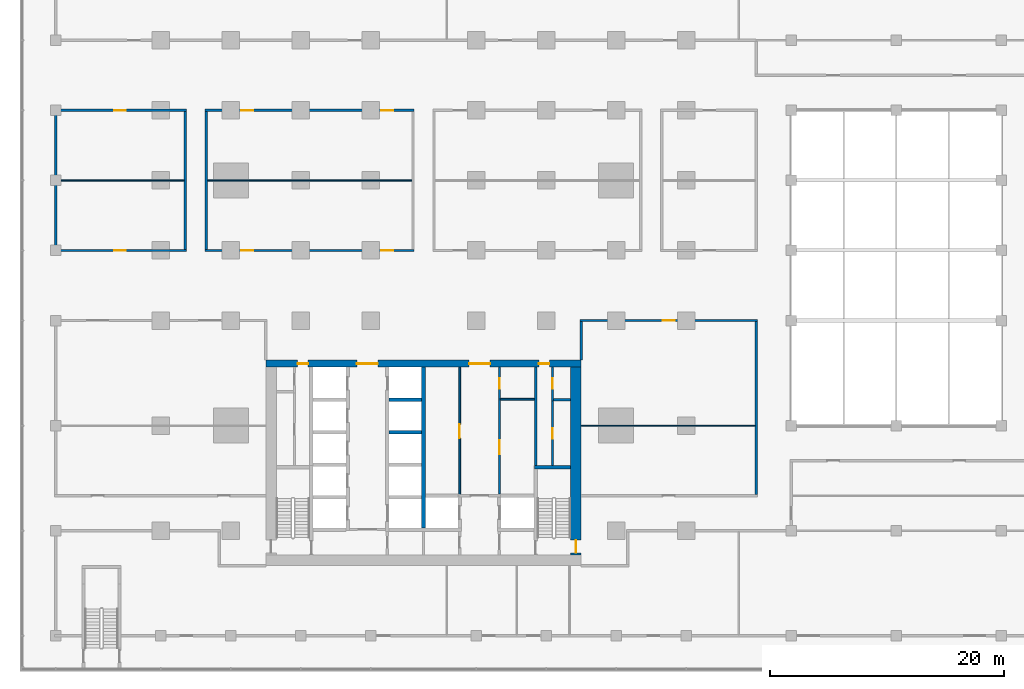
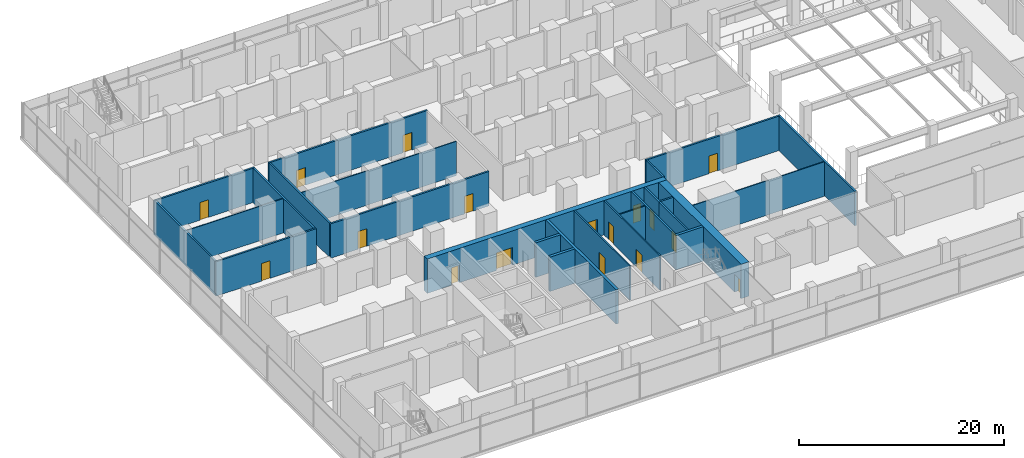
# One storey, part 15 of 22: 26 walls, 17 doors, 17 openings.
"""IFC4 building model written with IfcOpenShell, lengths in metres."""

from ifc_helpers import new_model, si_unit, direction, frame, frame_2d, origin, place, context, subcontext, project, spatial, rectangle, extrude, material, layer, layer_set, type_object, element, fill, save


model = new_model("IFC4")

# Units and contexts
model_context = context("Model", 3, precision=1e-05, world=origin(), true_north=direction((0.0, 1.0)))
body_context = subcontext(model_context, "Body", "Model", "MODEL_VIEW")
ifc_project = project(units=[si_unit("LENGTHUNIT", "METRE"), si_unit("AREAUNIT", "SQUARE_METRE"), si_unit("VOLUMEUNIT", "CUBIC_METRE"), si_unit("PLANEANGLEUNIT", "RADIAN"), si_unit("MASSUNIT", "GRAM", prefix="KILO")], contexts=[model_context])

# Site, building, storey
site_placement = place(None, origin())
site = spatial("IfcSite", under=ifc_project, at=site_placement, CompositionType="ELEMENT")
building_placement = place(site_placement, origin())
building = spatial("IfcBuilding", under=site, at=building_placement, Name="Finial Court Residences", CompositionType="ELEMENT")
storey_placement = place(building_placement, frame((0.0, 0.0, 28.0)))
storey = spatial("IfcBuildingStorey", under=building, at=storey_placement, Name="L05", CompositionType="ELEMENT", Elevation=28.0)

# Wall, openings, doors
ifc_material_1 = material(Name="Concrete C80/95", Category="concrete")
ifc_layer_1 = layer(ifc_material_1, 0.60009765625)
ifc_layer_set_1 = layer_set([ifc_layer_1], Name="Core outer wall 600 Concrete C80/95")
wall_type_1 = type_object("IfcWallType", Name="Core outer wall 600 Concrete C80/95", PredefinedType="SHEAR", material=ifc_layer_set_1)
wall_1_placement = place(storey_placement, frame((-13.5, -8.199951171875, 0.0), z_axis=(0.0, 0.0, 1.0), x_axis=(1.0, 0.0, 0.0)))
wall_1 = element("IfcWall", 1, at=wall_1_placement, inside=storey, type_object=wall_type_1, Name="Core outer wall L05-02", PredefinedType="SHEAR", context=body_context, shape_type="SweptSolid", body=[
    extrude(rectangle(XDim=27.0, YDim=0.60009765625, at=frame_2d((13.5, 0.0))), origin(), (0.0, 0.0, 1.0), 4.10009765625),
])
opening_1_placement = place(wall_1_placement, frame((7.800048828125, 0.0, 0.0)))
opening_1 = element("IfcOpeningElement", 2, at=opening_1_placement, cuts=wall_1, Name="Opening L05-C04", PredefinedType="OPENING", context=body_context, shape_type="SweptSolid", body=[
    extrude(rectangle(XDim=1.800048828125, YDim=2.10009765625, at=frame_2d((0.89990234375, 1.050048828125))), frame((0.0, 0.31005859375, 0.0), z_axis=(0.0, -1.0, 0.0), x_axis=(1.0, 0.0, 0.0)), (0.0, 0.0, 1.0), 0.6201171875),
])
opening_2_placement = place(wall_1_placement, frame((17.39990234375, 0.0, 0.0)))
opening_2 = element("IfcOpeningElement", 3, at=opening_2_placement, cuts=wall_1, Name="Opening L05-C05", PredefinedType="OPENING", context=body_context, shape_type="SweptSolid", body=[
    extrude(rectangle(XDim=1.800048828125, YDim=2.10009765625, at=frame_2d((0.89990234375, 1.050048828125))), frame((0.0, 0.31005859375, 0.0), z_axis=(0.0, -1.0, 0.0), x_axis=(1.0, 0.0, 0.0)), (0.0, 0.0, 1.0), 0.6201171875),
])
opening_3_placement = place(wall_1_placement, frame((2.72509765625, 0.0, 0.0)))
opening_3 = element("IfcOpeningElement", 4, at=opening_3_placement, cuts=wall_1, Name="Opening L05-C09", PredefinedType="OPENING", context=body_context, shape_type="SweptSolid", body=[
    extrude(rectangle(XDim=0.89990234375, YDim=2.10009765625, at=frame_2d((0.449951171875, 1.050048828125))), frame((0.0, 0.31005859375, 0.0), z_axis=(0.0, -1.0, 0.0), x_axis=(1.0, 0.0, 0.0)), (0.0, 0.0, 1.0), 0.6201171875),
])
opening_4_placement = place(wall_1_placement, frame((23.375, 0.0, 0.0)))
opening_4 = element("IfcOpeningElement", 5, at=opening_4_placement, cuts=wall_1, Name="Opening L05-C10", PredefinedType="OPENING", context=body_context, shape_type="SweptSolid", body=[
    extrude(rectangle(XDim=0.89990234375, YDim=2.10009765625, at=frame_2d((0.449951171875, 1.050048828125))), frame((0.0, 0.31005859375, 0.0), z_axis=(0.0, -1.0, 0.0), x_axis=(1.0, 0.0, 0.0)), (0.0, 0.0, 1.0), 0.6201171875),
])
ifc_material_2 = material(Name="Steel fire door", Category="steel")
door_type_1 = type_object("IfcDoorType", Name="Lift lobby door 1800 x 2100 EI 60", OperationType="DOUBLE_DOOR_SINGLE_SWING", PredefinedType="DOOR", material=ifc_material_2)
door_1_placement = place(opening_1_placement, origin())
door_1 = element("IfcDoor", 6, at=door_1_placement, inside=storey, type_object=door_type_1, Name="Lift lobby door L05-C04", OperationType="DOUBLE_DOOR_SINGLE_SWING", OverallHeight=2.10009765625, OverallWidth=1.800048828125, PredefinedType="DOOR", context=body_context, shape_type="SweptSolid", body=[
    extrude(rectangle(XDim=1.800048828125, YDim=2.10009765625, at=frame_2d((0.89990234375, 1.050048828125))), frame((0.0, 0.02490234375, 0.0), z_axis=(0.0, -1.0, 0.0), x_axis=(1.0, 0.0, 0.0)), (0.0, 0.0, 1.0), 0.050048828125),
])
fill(opening_1, door_1)
door_2_placement = place(opening_2_placement, origin())
door_2 = element("IfcDoor", 7, at=door_2_placement, inside=storey, type_object=door_type_1, Name="Lift lobby door L05-C05", OperationType="DOUBLE_DOOR_SINGLE_SWING", OverallHeight=2.10009765625, OverallWidth=1.800048828125, PredefinedType="DOOR", context=body_context, shape_type="SweptSolid", body=[
    extrude(rectangle(XDim=1.800048828125, YDim=2.10009765625, at=frame_2d((0.89990234375, 1.050048828125))), frame((0.0, 0.02490234375, 0.0), z_axis=(0.0, -1.0, 0.0), x_axis=(1.0, 0.0, 0.0)), (0.0, 0.0, 1.0), 0.050048828125),
])
fill(opening_2, door_2)
door_type_2 = type_object("IfcDoorType", Name="Riser room door 900 x 2100 EI 90", OperationType="NOTDEFINED", PredefinedType="DOOR", material=ifc_material_2)
door_3_placement = place(opening_3_placement, origin())
door_3 = element("IfcDoor", 8, at=door_3_placement, inside=storey, type_object=door_type_2, Name="Riser room door L05-C09", OperationType="SINGLE_SWING_RIGHT", OverallHeight=2.10009765625, OverallWidth=0.89990234375, PredefinedType="DOOR", context=body_context, shape_type="SweptSolid", body=[
    extrude(rectangle(XDim=0.89990234375, YDim=2.10009765625, at=frame_2d((0.449951171875, 1.050048828125))), frame((0.0, 0.02490234375, 0.0), z_axis=(0.0, -1.0, 0.0), x_axis=(1.0, 0.0, 0.0)), (0.0, 0.0, 1.0), 0.050048828125),
])
fill(opening_3, door_3)
door_4_placement = place(opening_4_placement, origin())
door_4 = element("IfcDoor", 9, at=door_4_placement, inside=storey, type_object=door_type_2, Name="Riser room door L05-C10", OperationType="SINGLE_SWING_LEFT", OverallHeight=2.10009765625, OverallWidth=0.89990234375, PredefinedType="DOOR", context=body_context, shape_type="SweptSolid", body=[
    extrude(rectangle(XDim=0.89990234375, YDim=2.10009765625, at=frame_2d((0.449951171875, 1.050048828125))), frame((0.0, 0.02490234375, 0.0), z_axis=(0.0, -1.0, 0.0), x_axis=(1.0, 0.0, 0.0)), (0.0, 0.0, 1.0), 0.050048828125),
])
fill(opening_4, door_4)

# Wall, opening, door
ifc_layer_2 = layer(ifc_material_1, 0.89990234375)
ifc_layer_set_2 = layer_set([ifc_layer_2], Name="Core outer wall 900 Concrete C80/95")
wall_type_2 = type_object("IfcWallType", Name="Core outer wall 900 Concrete C80/95", PredefinedType="SHEAR", material=ifc_layer_set_2)
wall_2_placement = place(storey_placement, frame((13.050048828125, -24.60009765625, 0.0), z_axis=(0.0, 0.0, 1.0), x_axis=(0.0, 1.0, 0.0)))
wall_2 = element("IfcWall", 10, at=wall_2_placement, inside=storey, type_object=wall_type_2, Name="Core outer wall L05-04", PredefinedType="SHEAR", context=body_context, shape_type="SweptSolid", body=[
    extrude(rectangle(XDim=16.10009765625, YDim=0.89990234375, at=frame_2d((8.050048828125, 0.0))), origin(), (0.0, 0.0, 1.0), 4.10009765625),
])
opening_5_placement = place(wall_2_placement, frame((0.199951171875, 0.0, 0.0)))
opening_5 = element("IfcOpeningElement", 11, at=opening_5_placement, cuts=wall_2, Name="Opening L05-C20", PredefinedType="OPENING", context=body_context, shape_type="SweptSolid", body=[
    extrude(rectangle(XDim=1.10009765625, YDim=2.10009765625, at=frame_2d((0.550048828125, 1.050048828125))), frame((0.0, 0.4599609375, 0.0), z_axis=(0.0, -1.0, 0.0), x_axis=(1.0, 0.0, 0.0)), (0.0, 0.0, 1.0), 0.919921875),
])
door_type_3 = type_object("IfcDoorType", Name="Stair door 1100 x 2100 EI 90", OperationType="NOTDEFINED", PredefinedType="DOOR", material=ifc_material_2)
door_5_placement = place(opening_5_placement, origin())
door_5 = element("IfcDoor", 12, at=door_5_placement, inside=storey, type_object=door_type_3, Name="Stair door L05-C20", OperationType="SINGLE_SWING_LEFT", OverallHeight=2.10009765625, OverallWidth=1.10009765625, PredefinedType="DOOR", context=body_context, shape_type="SweptSolid", body=[
    extrude(rectangle(XDim=1.10009765625, YDim=2.10009765625, at=frame_2d((0.550048828125, 1.050048828125))), frame((0.0, 0.02490234375, 0.0), z_axis=(0.0, -1.0, 0.0), x_axis=(1.0, 0.0, 0.0)), (0.0, 0.0, 1.0), 0.050048828125),
])
fill(opening_5, door_5)

# Wall
ifc_material_3 = material(Name="Fire-rated gypsum board partition")
ifc_layer_3 = layer(ifc_material_3, 0.14990234375)
ifc_layer_set_3 = layer_set([ifc_layer_3], Name="Core room partition 150 EI 60")
wall_type_3 = type_object("IfcWallType", Name="Core room partition 150 EI 60", PredefinedType="PARTITIONING", material=ifc_layer_set_3)
wall_3_placement = place(storey_placement, frame((6.574951171875, -11.25, 0.0), z_axis=(0.0, 0.0, 1.0), x_axis=(1.0, 0.0, 0.0)))
element("IfcWall", 13, at=wall_3_placement, inside=storey, type_object=wall_type_3, Name="Core partition L05-19", PredefinedType="PARTITIONING", context=body_context, shape_type="SweptSolid", body=[
    extrude(rectangle(XDim=2.925048828125, YDim=0.14990234375, at=frame_2d((1.46240234375, 0.0))), origin(), (0.0, 0.0, 1.0), 4.10009765625),
])

# Wall, opening, door
wall_4_placement = place(storey_placement, frame((3.10009765625, -19.39990234375, 0.0), z_axis=(0.0, 0.0, 1.0), x_axis=(0.0, 1.0, 0.0)))
wall_4 = element("IfcWall", 14, at=wall_4_placement, inside=storey, type_object=wall_type_3, Name="Core partition L05-32", PredefinedType="PARTITIONING", context=body_context, shape_type="SweptSolid", body=[
    extrude(rectangle(XDim=10.89990234375, YDim=0.14990234375, at=frame_2d((5.449951171875, 0.0))), origin(), (0.0, 0.0, 1.0), 4.10009765625),
])
opening_6_placement = place(wall_4_placement, frame((4.800048828125, 0.0, 0.0)))
opening_6 = element("IfcOpeningElement", 15, at=opening_6_placement, cuts=wall_4, Name="Opening L05-C14", PredefinedType="OPENING", context=body_context, shape_type="SweptSolid", body=[
    extrude(rectangle(XDim=1.199951171875, YDim=2.10009765625, at=frame_2d((0.60009765625, 1.050048828125))), frame((0.0, 0.0849609375, 0.0), z_axis=(0.0, -1.0, 0.0), x_axis=(1.0, 0.0, 0.0)), (0.0, 0.0, 1.0), 0.169921875),
])
door_type_4 = type_object("IfcDoorType", Name="Core room door 1200 x 2100 EI 60", OperationType="NOTDEFINED", PredefinedType="DOOR", material=ifc_material_2)
door_6_placement = place(opening_6_placement, origin())
door_6 = element("IfcDoor", 16, at=door_6_placement, inside=storey, type_object=door_type_4, Name="Core room door L05-C14", OperationType="SINGLE_SWING_LEFT", OverallHeight=2.10009765625, OverallWidth=1.199951171875, PredefinedType="DOOR", context=body_context, shape_type="SweptSolid", body=[
    extrude(rectangle(XDim=1.199951171875, YDim=2.10009765625, at=frame_2d((0.60009765625, 1.050048828125))), frame((0.0, 0.02490234375, 0.0), z_axis=(0.0, -1.0, 0.0), x_axis=(1.0, 0.0, 0.0)), (0.0, 0.0, 1.0), 0.050048828125),
])
fill(opening_6, door_6)

# Wall, openings, doors
wall_5_placement = place(storey_placement, frame((6.5, -8.5, 0.0), z_axis=(0.0, 0.0, 1.0), x_axis=(0.0, -1.0, 0.0)))
wall_5 = element("IfcWall", 17, at=wall_5_placement, inside=storey, type_object=wall_type_3, Name="Core partition L05-35", PredefinedType="PARTITIONING", context=body_context, shape_type="SweptSolid", body=[
    extrude(rectangle(XDim=10.85009765625, YDim=0.14990234375, at=frame_2d((5.425048828125, 0.0))), origin(), (0.0, 0.0, 1.0), 4.10009765625),
])
opening_7_placement = place(wall_5_placement, frame((6.27490234375, 0.0, 0.0)))
opening_7 = element("IfcOpeningElement", 18, at=opening_7_placement, cuts=wall_5, Name="Opening L05-C15", PredefinedType="OPENING", context=body_context, shape_type="SweptSolid", body=[
    extrude(rectangle(XDim=1.199951171875, YDim=2.10009765625, at=frame_2d((0.60009765625, 1.050048828125))), frame((0.0, 0.0849609375, 0.0), z_axis=(0.0, -1.0, 0.0), x_axis=(1.0, 0.0, 0.0)), (0.0, 0.0, 1.0), 0.169921875),
])
opening_8_placement = place(wall_5_placement, frame((0.925048828125, 0.0, 0.0)))
opening_8 = element("IfcOpeningElement", 19, at=opening_8_placement, cuts=wall_5, Name="Opening L05-C16", PredefinedType="OPENING", context=body_context, shape_type="SweptSolid", body=[
    extrude(rectangle(XDim=0.89990234375, YDim=2.10009765625, at=frame_2d((0.449951171875, 1.050048828125))), frame((0.0, 0.0849609375, 0.0), z_axis=(0.0, -1.0, 0.0), x_axis=(1.0, 0.0, 0.0)), (0.0, 0.0, 1.0), 0.169921875),
])
door_7_placement = place(opening_7_placement, origin())
door_7 = element("IfcDoor", 20, at=door_7_placement, inside=storey, type_object=door_type_4, Name="Core room door L05-C15", OperationType="SINGLE_SWING_RIGHT", OverallHeight=2.10009765625, OverallWidth=1.199951171875, PredefinedType="DOOR", context=body_context, shape_type="SweptSolid", body=[
    extrude(rectangle(XDim=1.199951171875, YDim=2.10009765625, at=frame_2d((0.60009765625, 1.050048828125))), frame((0.0, 0.02490234375, 0.0), z_axis=(0.0, -1.0, 0.0), x_axis=(1.0, 0.0, 0.0)), (0.0, 0.0, 1.0), 0.050048828125),
])
fill(opening_7, door_7)
door_type_5 = type_object("IfcDoorType", Name="Core room door 900 x 2100 EI 60", OperationType="NOTDEFINED", PredefinedType="DOOR", material=ifc_material_2)
door_8_placement = place(opening_8_placement, origin())
door_8 = element("IfcDoor", 21, at=door_8_placement, inside=storey, type_object=door_type_5, Name="Core room door L05-C16", OperationType="SINGLE_SWING_RIGHT", OverallHeight=2.10009765625, OverallWidth=0.89990234375, PredefinedType="DOOR", context=body_context, shape_type="SweptSolid", body=[
    extrude(rectangle(XDim=0.89990234375, YDim=2.10009765625, at=frame_2d((0.449951171875, 1.050048828125))), frame((0.0, 0.02490234375, 0.0), z_axis=(0.0, -1.0, 0.0), x_axis=(1.0, 0.0, 0.0)), (0.0, 0.0, 1.0), 0.050048828125),
])
fill(opening_8, door_8)

# Wall, opening, door
ifc_material_4 = material(Name="Gypsum board")
ifc_layer_4 = layer(ifc_material_4, 0.02490234375)
ifc_material_5 = material(Name="Acoustic mineral wool in double frame")
ifc_layer_5 = layer(ifc_material_5, 0.14990234375)
ifc_layer_6 = layer(ifc_material_4, 0.02490234375)
ifc_layer_set_4 = layer_set([ifc_layer_4, ifc_layer_5, ifc_layer_6], Name="Corridor wall 200, 1 hour")
wall_type_4 = type_object("IfcWallType", Name="Corridor wall 200, 1 hour", PredefinedType="PARTITIONING", material=ifc_layer_set_4)
wall_6_placement = place(storey_placement, frame((13.39990234375, -4.5, 0.0), z_axis=(0.0, 0.0, 1.0), x_axis=(1.0, 0.0, 0.0)))
wall_6 = element("IfcWall", 22, at=wall_6_placement, inside=storey, type_object=wall_type_4, Name="Partition L05-016", PredefinedType="PARTITIONING", context=body_context, shape_type="SweptSolid", body=[
    extrude(rectangle(XDim=15.2001953125, YDim=0.199951171875, at=frame_2d((7.60009765625, 0.0))), origin(), (0.0, 0.0, 1.0), 4.10009765625),
])
opening_9_placement = place(wall_6_placement, frame((7.10009765625, 0.0, 0.0)))
opening_9 = element("IfcOpeningElement", 23, at=opening_9_placement, cuts=wall_6, Name="Opening L05-D015", PredefinedType="OPENING", context=body_context, shape_type="SweptSolid", body=[
    extrude(rectangle(XDim=1.0, YDim=2.10009765625, at=frame_2d((0.5, 1.050048828125))), frame((0.0, 0.10986328125, 0.0), z_axis=(0.0, -1.0, 0.0), x_axis=(1.0, 0.0, 0.0)), (0.0, 0.0, 1.0), 0.219970703125),
])
ifc_material_6 = material(Name="Timber door leaf in hollow metal frame", Category="wood")
door_type_6 = type_object("IfcDoorType", Name="Fire door set 1000 x 2100, 30 minutes", OperationType="SINGLE_SWING_LEFT", PredefinedType="DOOR", material=ifc_material_6)
door_9_placement = place(opening_9_placement, origin())
door_9 = element("IfcDoor", 24, at=door_9_placement, inside=storey, type_object=door_type_6, Name="Door L05-D015", OperationType="SINGLE_SWING_LEFT", OverallHeight=2.10009765625, OverallWidth=1.0, PredefinedType="DOOR", context=body_context, shape_type="SweptSolid", body=[
    extrude(rectangle(XDim=1.0, YDim=2.10009765625, at=frame_2d((0.5, 1.050048828125))), frame((0.0, 0.02490234375, 0.0), z_axis=(0.0, -1.0, 0.0), x_axis=(1.0, 0.0, 0.0)), (0.0, 0.0, 1.0), 0.050048828125),
])
fill(opening_9, door_9)

wall_7_placement = place(storey_placement, frame((-31.60009765625, 1.5, 0.0), z_axis=(0.0, 0.0, 1.0), x_axis=(1.0, 0.0, 0.0)))
wall_7 = element("IfcWall", 25, at=wall_7_placement, inside=storey, type_object=wall_type_4, Name="Partition L05-017", PredefinedType="PARTITIONING", context=body_context, shape_type="SweptSolid", body=[
    extrude(rectangle(XDim=11.300048828125, YDim=0.199951171875, at=frame_2d((5.64990234375, 0.0))), origin(), (0.0, 0.0, 1.0), 4.10009765625),
])
opening_10_placement = place(wall_7_placement, frame((5.10009765625, 0.0, 0.0)))
opening_10 = element("IfcOpeningElement", 26, at=opening_10_placement, cuts=wall_7, Name="Opening L05-D016", PredefinedType="OPENING", context=body_context, shape_type="SweptSolid", body=[
    extrude(rectangle(XDim=1.0, YDim=2.10009765625, at=frame_2d((0.5, 1.050048828125))), frame((0.0, 0.10986328125, 0.0), z_axis=(0.0, -1.0, 0.0), x_axis=(1.0, 0.0, 0.0)), (0.0, 0.0, 1.0), 0.219970703125),
])
door_10_placement = place(opening_10_placement, origin())
door_10 = element("IfcDoor", 27, at=door_10_placement, inside=storey, type_object=door_type_6, Name="Door L05-D016", OperationType="SINGLE_SWING_LEFT", OverallHeight=2.10009765625, OverallWidth=1.0, PredefinedType="DOOR", context=body_context, shape_type="SweptSolid", body=[
    extrude(rectangle(XDim=1.0, YDim=2.10009765625, at=frame_2d((0.5, 1.050048828125))), frame((0.0, 0.02490234375, 0.0), z_axis=(0.0, -1.0, 0.0), x_axis=(1.0, 0.0, 0.0)), (0.0, 0.0, 1.0), 0.050048828125),
])
fill(opening_10, door_10)

# Wall, openings, doors
wall_8_placement = place(storey_placement, frame((-18.699951171875, 1.5, 0.0), z_axis=(0.0, 0.0, 1.0), x_axis=(1.0, 0.0, 0.0)))
wall_8 = element("IfcWall", 28, at=wall_8_placement, inside=storey, type_object=wall_type_4, Name="Partition L05-018", PredefinedType="PARTITIONING", context=body_context, shape_type="SweptSolid", body=[
    extrude(rectangle(XDim=17.89990234375, YDim=0.199951171875, at=frame_2d((8.949951171875, 0.0))), origin(), (0.0, 0.0, 1.0), 4.10009765625),
])
opening_11_placement = place(wall_8_placement, frame((3.10009765625, 0.0, 0.0)))
opening_11 = element("IfcOpeningElement", 29, at=opening_11_placement, cuts=wall_8, Name="Opening L05-D017", PredefinedType="OPENING", context=body_context, shape_type="SweptSolid", body=[
    extrude(rectangle(XDim=1.0, YDim=2.10009765625, at=frame_2d((0.5, 1.050048828125))), frame((0.0, 0.10986328125, 0.0), z_axis=(0.0, -1.0, 0.0), x_axis=(1.0, 0.0, 0.0)), (0.0, 0.0, 1.0), 0.219970703125),
])
opening_12_placement = place(wall_8_placement, frame((15.10009765625, 0.0, 0.0)))
opening_12 = element("IfcOpeningElement", 30, at=opening_12_placement, cuts=wall_8, Name="Opening L05-D018", PredefinedType="OPENING", context=body_context, shape_type="SweptSolid", body=[
    extrude(rectangle(XDim=1.0, YDim=2.10009765625, at=frame_2d((0.5, 1.050048828125))), frame((0.0, 0.10986328125, 0.0), z_axis=(0.0, -1.0, 0.0), x_axis=(1.0, 0.0, 0.0)), (0.0, 0.0, 1.0), 0.219970703125),
])
door_11_placement = place(opening_11_placement, origin())
door_11 = element("IfcDoor", 31, at=door_11_placement, inside=storey, type_object=door_type_6, Name="Door L05-D017", OperationType="SINGLE_SWING_RIGHT", OverallHeight=2.10009765625, OverallWidth=1.0, PredefinedType="DOOR", context=body_context, shape_type="SweptSolid", body=[
    extrude(rectangle(XDim=1.0, YDim=2.10009765625, at=frame_2d((0.5, 1.050048828125))), frame((0.0, 0.02490234375, 0.0), z_axis=(0.0, -1.0, 0.0), x_axis=(1.0, 0.0, 0.0)), (0.0, 0.0, 1.0), 0.050048828125),
])
fill(opening_11, door_11)
door_12_placement = place(opening_12_placement, origin())
door_12 = element("IfcDoor", 32, at=door_12_placement, inside=storey, type_object=door_type_6, Name="Door L05-D018", OperationType="SINGLE_SWING_LEFT", OverallHeight=2.10009765625, OverallWidth=1.0, PredefinedType="DOOR", context=body_context, shape_type="SweptSolid", body=[
    extrude(rectangle(XDim=1.0, YDim=2.10009765625, at=frame_2d((0.5, 1.050048828125))), frame((0.0, 0.02490234375, 0.0), z_axis=(0.0, -1.0, 0.0), x_axis=(1.0, 0.0, 0.0)), (0.0, 0.0, 1.0), 0.050048828125),
])
fill(opening_12, door_12)

# Wall, opening, door
wall_9_placement = place(storey_placement, frame((-31.60009765625, 13.5, 0.0), z_axis=(0.0, 0.0, 1.0), x_axis=(1.0, 0.0, 0.0)))
wall_9 = element("IfcWall", 33, at=wall_9_placement, inside=storey, type_object=wall_type_4, Name="Partition L05-025", PredefinedType="PARTITIONING", context=body_context, shape_type="SweptSolid", body=[
    extrude(rectangle(XDim=11.300048828125, YDim=0.199951171875, at=frame_2d((5.64990234375, 0.0))), origin(), (0.0, 0.0, 1.0), 4.10009765625),
])
opening_13_placement = place(wall_9_placement, frame((5.10009765625, 0.0, 0.0)))
opening_13 = element("IfcOpeningElement", 34, at=opening_13_placement, cuts=wall_9, Name="Opening L05-D022", PredefinedType="OPENING", context=body_context, shape_type="SweptSolid", body=[
    extrude(rectangle(XDim=1.0, YDim=2.10009765625, at=frame_2d((0.5, 1.050048828125))), frame((0.0, 0.10986328125, 0.0), z_axis=(0.0, -1.0, 0.0), x_axis=(1.0, 0.0, 0.0)), (0.0, 0.0, 1.0), 0.219970703125),
])
door_13_placement = place(opening_13_placement, origin())
door_13 = element("IfcDoor", 35, at=door_13_placement, inside=storey, type_object=door_type_6, Name="Door L05-D022", OperationType="SINGLE_SWING_LEFT", OverallHeight=2.10009765625, OverallWidth=1.0, PredefinedType="DOOR", context=body_context, shape_type="SweptSolid", body=[
    extrude(rectangle(XDim=1.0, YDim=2.10009765625, at=frame_2d((0.5, 1.050048828125))), frame((0.0, 0.02490234375, 0.0), z_axis=(0.0, -1.0, 0.0), x_axis=(1.0, 0.0, 0.0)), (0.0, 0.0, 1.0), 0.050048828125),
])
fill(opening_13, door_13)

# Wall, openings, doors
wall_10_placement = place(storey_placement, frame((-18.699951171875, 13.5, 0.0), z_axis=(0.0, 0.0, 1.0), x_axis=(1.0, 0.0, 0.0)))
wall_10 = element("IfcWall", 36, at=wall_10_placement, inside=storey, type_object=wall_type_4, Name="Partition L05-026", PredefinedType="PARTITIONING", context=body_context, shape_type="SweptSolid", body=[
    extrude(rectangle(XDim=17.89990234375, YDim=0.199951171875, at=frame_2d((8.949951171875, 0.0))), origin(), (0.0, 0.0, 1.0), 4.10009765625),
])
opening_14_placement = place(wall_10_placement, frame((3.10009765625, 0.0, 0.0)))
opening_14 = element("IfcOpeningElement", 37, at=opening_14_placement, cuts=wall_10, Name="Opening L05-D023", PredefinedType="OPENING", context=body_context, shape_type="SweptSolid", body=[
    extrude(rectangle(XDim=1.0, YDim=2.10009765625, at=frame_2d((0.5, 1.050048828125))), frame((0.0, 0.10986328125, 0.0), z_axis=(0.0, -1.0, 0.0), x_axis=(1.0, 0.0, 0.0)), (0.0, 0.0, 1.0), 0.219970703125),
])
opening_15_placement = place(wall_10_placement, frame((15.10009765625, 0.0, 0.0)))
opening_15 = element("IfcOpeningElement", 38, at=opening_15_placement, cuts=wall_10, Name="Opening L05-D024", PredefinedType="OPENING", context=body_context, shape_type="SweptSolid", body=[
    extrude(rectangle(XDim=1.0, YDim=2.10009765625, at=frame_2d((0.5, 1.050048828125))), frame((0.0, 0.10986328125, 0.0), z_axis=(0.0, -1.0, 0.0), x_axis=(1.0, 0.0, 0.0)), (0.0, 0.0, 1.0), 0.219970703125),
])
door_14_placement = place(opening_14_placement, origin())
door_14 = element("IfcDoor", 39, at=door_14_placement, inside=storey, type_object=door_type_6, Name="Door L05-D023", OperationType="SINGLE_SWING_LEFT", OverallHeight=2.10009765625, OverallWidth=1.0, PredefinedType="DOOR", context=body_context, shape_type="SweptSolid", body=[
    extrude(rectangle(XDim=1.0, YDim=2.10009765625, at=frame_2d((0.5, 1.050048828125))), frame((0.0, 0.02490234375, 0.0), z_axis=(0.0, -1.0, 0.0), x_axis=(1.0, 0.0, 0.0)), (0.0, 0.0, 1.0), 0.050048828125),
])
fill(opening_14, door_14)
door_15_placement = place(opening_15_placement, origin())
door_15 = element("IfcDoor", 40, at=door_15_placement, inside=storey, type_object=door_type_6, Name="Door L05-D024", OperationType="SINGLE_SWING_RIGHT", OverallHeight=2.10009765625, OverallWidth=1.0, PredefinedType="DOOR", context=body_context, shape_type="SweptSolid", body=[
    extrude(rectangle(XDim=1.0, YDim=2.10009765625, at=frame_2d((0.5, 1.050048828125))), frame((0.0, 0.02490234375, 0.0), z_axis=(0.0, -1.0, 0.0), x_axis=(1.0, 0.0, 0.0)), (0.0, 0.0, 1.0), 0.050048828125),
])
fill(opening_15, door_15)

# Walls
for number, where, z_axis, x_axis, name in (
    (41, (-31.5, 1.60009765625, 0.0), (0.0, 0.0, 1.0), (0.0, 1.0, 0.0), "Partition L05-041"),
    (42, (-20.39990234375, 1.60009765625, 0.0), (0.0, 0.0, 1.0), (0.0, 1.0, 0.0), "Partition L05-043"),
    (43, (-18.60009765625, 1.60009765625, 0.0), (0.0, 0.0, 1.0), (0.0, 1.0, 0.0), "Partition L05-044"),
):
    element("IfcWall", number, at=place(storey_placement, frame(where, z_axis=z_axis, x_axis=x_axis)), inside=storey, type_object=wall_type_4, Name=name, PredefinedType="PARTITIONING", context=body_context, shape_type="SweptSolid", body=[
        extrude(rectangle(XDim=11.7998046875, YDim=0.199951171875, at=frame_2d((5.89990234375, 0.0))), origin(), (0.0, 0.0, 1.0), 4.10009765625),
    ])
wall_11_placement = place(storey_placement, frame((13.5, -7.89990234375, 0.0), z_axis=(0.0, 0.0, 1.0), x_axis=(0.0, 1.0, 0.0)))
element("IfcWall", 44, at=wall_11_placement, inside=storey, type_object=wall_type_4, Name="Partition L05-054", PredefinedType="PARTITIONING", context=body_context, shape_type="SweptSolid", body=[
    extrude(rectangle(XDim=3.2998046875, YDim=0.199951171875, at=frame_2d((1.64990234375, 0.0))), origin(), (0.0, 0.0, 1.0), 4.10009765625),
])
wall_12_placement = place(storey_placement, frame((28.5, -19.39990234375, 0.0), z_axis=(0.0, 0.0, 1.0), x_axis=(0.0, 1.0, 0.0)))
element("IfcWall", 45, at=wall_12_placement, inside=storey, type_object=wall_type_4, Name="Partition L05-061", PredefinedType="PARTITIONING", context=body_context, shape_type="SweptSolid", body=[
    extrude(rectangle(XDim=14.7998046875, YDim=0.199951171875, at=frame_2d((7.39990234375, 0.0))), origin(), (0.0, 0.0, 1.0), 4.10009765625),
])
ifc_layer_7 = layer(ifc_material_4, 0.012451171875)
ifc_material_7 = material(Name="Mineral wool in light-gauge frame")
ifc_layer_8 = layer(ifc_material_7, 0.074951171875)
ifc_layer_9 = layer(ifc_material_4, 0.012451171875)
ifc_layer_set_5 = layer_set([ifc_layer_7, ifc_layer_8, ifc_layer_9], Name="Gypsum board partition 100")
wall_type_5 = type_object("IfcWallType", Name="Gypsum board partition 100", PredefinedType="PARTITIONING", material=ifc_layer_set_5)
wall_13_placement = place(storey_placement, frame((13.5, -13.5, 0.0), z_axis=(0.0, 0.0, 1.0), x_axis=(1.0, 0.0, 0.0)))
element("IfcWall", 46, at=wall_13_placement, inside=storey, type_object=wall_type_5, Name="Partition L05-013", PredefinedType="PARTITIONING", context=body_context, shape_type="SweptSolid", body=[
    extrude(rectangle(XDim=14.89990234375, YDim=0.10009765625, at=frame_2d((7.449951171875, 0.0))), origin(), (0.0, 0.0, 1.0), 4.10009765625),
])
wall_14_placement = place(storey_placement, frame((-31.39990234375, 7.5, 0.0), z_axis=(0.0, 0.0, 1.0), x_axis=(1.0, 0.0, 0.0)))
element("IfcWall", 47, at=wall_14_placement, inside=storey, type_object=wall_type_5, Name="Partition L05-021", PredefinedType="PARTITIONING", context=body_context, shape_type="SweptSolid", body=[
    extrude(rectangle(XDim=10.89990234375, YDim=0.10009765625, at=frame_2d((5.449951171875, 0.0))), origin(), (0.0, 0.0, 1.0), 4.10009765625),
])
wall_15_placement = place(storey_placement, frame((-18.5, 7.5, 0.0), z_axis=(0.0, 0.0, 1.0), x_axis=(1.0, 0.0, 0.0)))
element("IfcWall", 48, at=wall_15_placement, inside=storey, type_object=wall_type_5, Name="Partition L05-022", PredefinedType="PARTITIONING", context=body_context, shape_type="SweptSolid", body=[
    extrude(rectangle(XDim=17.5, YDim=0.10009765625, at=frame_2d((8.75, 0.0))), origin(), (0.0, 0.0, 1.0), 4.10009765625),
])
ifc_layer_10 = layer(ifc_material_1, 0.300048828125)
ifc_layer_set_6 = layer_set([ifc_layer_10], Name="Lift shaft and stair wall 300 Concrete C80/95")
wall_type_6 = type_object("IfcWallType", Name="Lift shaft and stair wall 300 Concrete C80/95", PredefinedType="SHEAR", material=ifc_layer_set_6)
wall_16_placement = place(storey_placement, frame((9.5, -17.050048828125, 0.0), z_axis=(0.0, 0.0, 1.0), x_axis=(1.0, 0.0, 0.0)))
element("IfcWall", 49, at=wall_16_placement, inside=storey, type_object=wall_type_6, Name="Core wall L05-11", PredefinedType="SHEAR", context=body_context, shape_type="SweptSolid", body=[
    extrude(rectangle(XDim=3.10009765625, YDim=0.300048828125, at=frame_2d((1.550048828125, 0.0))), origin(), (0.0, 0.0, 1.0), 4.10009765625),
])
for number, where, z_axis, x_axis, name in (
    (50, (-2.949951171875, -14.06005859375, 0.0), (0.0, 0.0, 1.0), (1.0, 0.0, 0.0), "Core wall L05-15"),
    (51, (-2.949951171875, -11.280029296875, 0.0), (0.0, 0.0, 1.0), (1.0, 0.0, 0.0), "Core wall L05-18"),
):
    element("IfcWall", number, at=place(storey_placement, frame(where, z_axis=z_axis, x_axis=x_axis)), inside=storey, type_object=wall_type_6, Name=name, PredefinedType="SHEAR", context=body_context, shape_type="SweptSolid", body=[
        extrude(rectangle(XDim=2.800048828125, YDim=0.300048828125, at=frame_2d((1.39990234375, 0.0))), origin(), (0.0, 0.0, 1.0), 4.10009765625),
    ])
wall_17_placement = place(storey_placement, frame((0.0, -22.25, 0.0), z_axis=(0.0, 0.0, 1.0), x_axis=(0.0, 1.0, 0.0)))
element("IfcWall", 52, at=wall_17_placement, inside=storey, type_object=wall_type_6, Name="Core wall L05-29", PredefinedType="SHEAR", context=body_context, shape_type="SweptSolid", body=[
    extrude(rectangle(XDim=13.75, YDim=0.300048828125, at=frame_2d((6.875, 0.0))), origin(), (0.0, 0.0, 1.0), 4.10009765625),
])
ifc_layer_11 = layer(ifc_material_3, 0.199951171875)
ifc_layer_set_7 = layer_set([ifc_layer_11], Name="Riser room wall 200 EI 120")
wall_type_7 = type_object("IfcWallType", Name="Riser room wall 200 EI 120", PredefinedType="PARTITIONING", material=ifc_layer_set_7)
wall_18_placement = place(storey_placement, frame((11.14990234375, -11.300048828125, 0.0), z_axis=(0.0, 0.0, 1.0), x_axis=(1.0, 0.0, 0.0)))
element("IfcWall", 53, at=wall_18_placement, inside=storey, type_object=wall_type_7, Name="Core partition L05-16", PredefinedType="PARTITIONING", context=body_context, shape_type="SweptSolid", body=[
    extrude(rectangle(XDim=1.4501953125, YDim=0.199951171875, at=frame_2d((0.72509765625, 0.0))), origin(), (0.0, 0.0, 1.0), 4.10009765625),
])

# Wall, opening, door
wall_19_placement = place(storey_placement, frame((11.050048828125, -8.5, 0.0), z_axis=(0.0, 0.0, 1.0), x_axis=(0.0, -1.0, 0.0)))
wall_19 = element("IfcWall", 54, at=wall_19_placement, inside=storey, type_object=wall_type_7, Name="Core partition L05-39", PredefinedType="PARTITIONING", context=body_context, shape_type="SweptSolid", body=[
    extrude(rectangle(XDim=2.89990234375, YDim=0.199951171875, at=frame_2d((1.449951171875, 0.0))), origin(), (0.0, 0.0, 1.0), 4.10009765625),
])
opening_16_placement = place(wall_19_placement, frame((0.949951171875, 0.0, 0.0)))
opening_16 = element("IfcOpeningElement", 55, at=opening_16_placement, cuts=wall_19, Name="Opening L05-C08", PredefinedType="OPENING", context=body_context, shape_type="SweptSolid", body=[
    extrude(rectangle(XDim=0.89990234375, YDim=2.10009765625, at=frame_2d((0.449951171875, 1.050048828125))), frame((0.0, 0.10986328125, 0.0), z_axis=(0.0, -1.0, 0.0), x_axis=(1.0, 0.0, 0.0)), (0.0, 0.0, 1.0), 0.219970703125),
])
door_16_placement = place(opening_16_placement, origin())
door_16 = element("IfcDoor", 56, at=door_16_placement, inside=storey, type_object=door_type_2, Name="Riser room door L05-C08", OperationType="SINGLE_SWING_RIGHT", OverallHeight=2.10009765625, OverallWidth=0.89990234375, PredefinedType="DOOR", context=body_context, shape_type="SweptSolid", body=[
    extrude(rectangle(XDim=0.89990234375, YDim=2.10009765625, at=frame_2d((0.449951171875, 1.050048828125))), frame((0.0, 0.02490234375, 0.0), z_axis=(0.0, -1.0, 0.0), x_axis=(1.0, 0.0, 0.0)), (0.0, 0.0, 1.0), 0.050048828125),
])
fill(opening_16, door_16)

# Wall
ifc_layer_12 = layer(ifc_material_3, 0.199951171875)
ifc_layer_set_8 = layer_set([ifc_layer_12], Name="Stair passage wall 200 EI 180")
wall_type_8 = type_object("IfcWallType", Name="Stair passage wall 200 EI 180", PredefinedType="PARTITIONING", material=ifc_layer_set_8)
wall_20_placement = place(storey_placement, frame((9.60009765625, -16.89990234375, 0.0), z_axis=(0.0, 0.0, 1.0), x_axis=(0.0, 1.0, 0.0)))
element("IfcWall", 57, at=wall_20_placement, inside=storey, type_object=wall_type_8, Name="Core partition L05-37", PredefinedType="PARTITIONING", context=body_context, shape_type="SweptSolid", body=[
    extrude(rectangle(XDim=8.39990234375, YDim=0.199951171875, at=frame_2d((4.199951171875, 0.0))), origin(), (0.0, 0.0, 1.0), 4.10009765625),
])

# Wall, opening, door
wall_21_placement = place(storey_placement, frame((11.050048828125, -11.199951171875, 0.0), z_axis=(0.0, 0.0, 1.0), x_axis=(0.0, -1.0, 0.0)))
wall_21 = element("IfcWall", 58, at=wall_21_placement, inside=storey, type_object=wall_type_8, Name="Core partition L05-38", PredefinedType="PARTITIONING", context=body_context, shape_type="SweptSolid", body=[
    extrude(rectangle(XDim=5.699951171875, YDim=0.199951171875, at=frame_2d((2.85009765625, 0.0))), origin(), (0.0, 0.0, 1.0), 4.10009765625),
])
opening_17_placement = place(wall_21_placement, frame((2.52490234375, 0.0, 0.0)))
opening_17 = element("IfcOpeningElement", 59, at=opening_17_placement, cuts=wall_21, Name="Opening L05-C13", PredefinedType="OPENING", context=body_context, shape_type="SweptSolid", body=[
    extrude(rectangle(XDim=0.89990234375, YDim=2.10009765625, at=frame_2d((0.449951171875, 1.050048828125))), frame((0.0, 0.10986328125, 0.0), z_axis=(0.0, -1.0, 0.0), x_axis=(1.0, 0.0, 0.0)), (0.0, 0.0, 1.0), 0.219970703125),
])
door_17_placement = place(opening_17_placement, origin())
door_17 = element("IfcDoor", 60, at=door_17_placement, inside=storey, type_object=door_type_5, Name="Core room door L05-C13", OperationType="SINGLE_SWING_RIGHT", OverallHeight=2.10009765625, OverallWidth=0.89990234375, PredefinedType="DOOR", context=body_context, shape_type="SweptSolid", body=[
    extrude(rectangle(XDim=0.89990234375, YDim=2.10009765625, at=frame_2d((0.449951171875, 1.050048828125))), frame((0.0, 0.02490234375, 0.0), z_axis=(0.0, -1.0, 0.0), x_axis=(1.0, 0.0, 0.0)), (0.0, 0.0, 1.0), 0.050048828125),
])
fill(opening_17, door_17)

save(model, "model.ifc")
